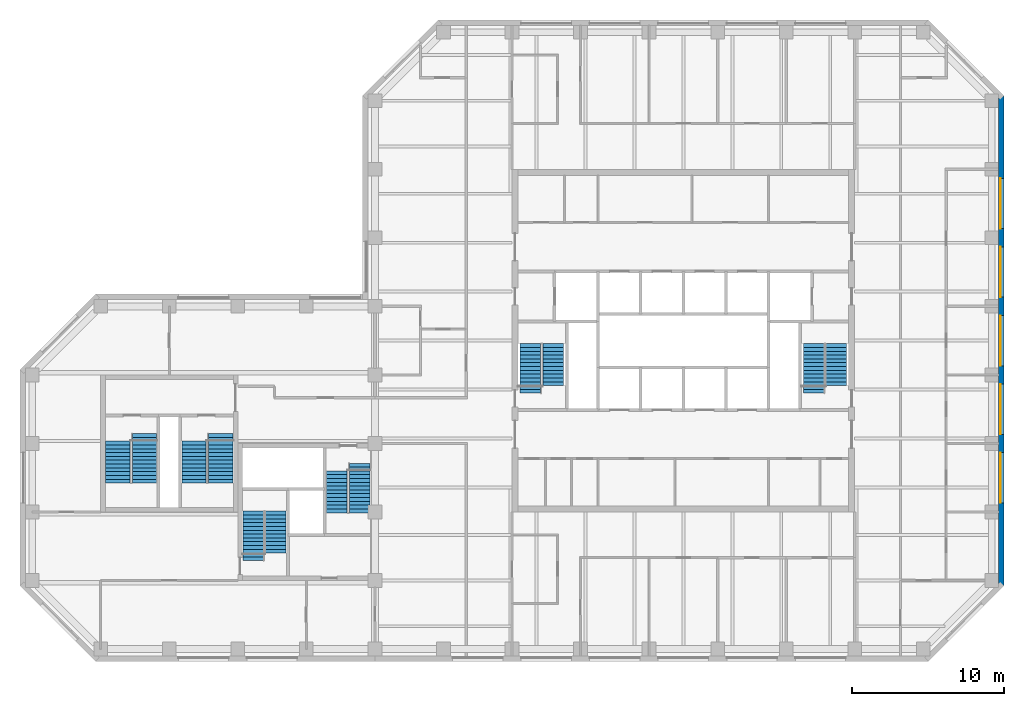
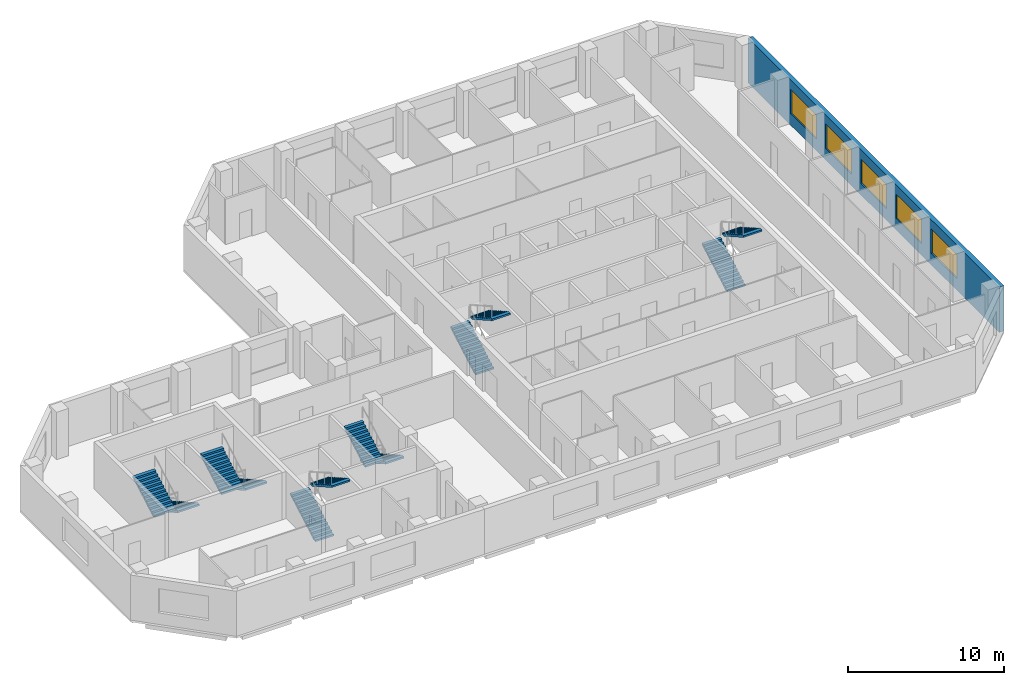
# One storey, part 8 of 9: 12 stair flights, 5 windows, 1 wall, 5 openings, 6 elements without a shape of their own.
"""IFC4 building model written with IfcOpenShell, lengths in metres."""

from ifc_helpers import new_model, si_unit, direction, frame, frame_2d, origin, place, context, subcontext, project, spatial, polyline, rectangle, outline, extrude, material, layer, layer_set, constituent, constituent_set, type_object, element, fill, aggregate, save


model = new_model("IFC4")

# Units and contexts
model_context = context("Model", 3, precision=1e-05, world=origin(), true_north=direction((0.0, 1.0)))
body_context = subcontext(model_context, "Body", "Model", "MODEL_VIEW")
ifc_project = project(units=[si_unit("LENGTHUNIT", "METRE"), si_unit("AREAUNIT", "SQUARE_METRE"), si_unit("VOLUMEUNIT", "CUBIC_METRE"), si_unit("PLANEANGLEUNIT", "RADIAN"), si_unit("MASSUNIT", "GRAM", prefix="KILO")], contexts=[model_context])

# Site, building, storey
site_placement = place(None, origin())
site = spatial("IfcSite", under=ifc_project, at=site_placement, CompositionType="ELEMENT")
building_placement = place(site_placement, origin())
building = spatial("IfcBuilding", under=site, at=building_placement, Name="Quoin Convention Tower", CompositionType="ELEMENT")
storey_placement = place(building_placement, frame((0.0, 0.0, 151.39990234375)))
storey = spatial("IfcBuildingStorey", under=building, at=storey_placement, Name="L39", CompositionType="ELEMENT", Elevation=151.39990234375)

# Wall, openings, windows
ifc_material_1 = material(Name="Brick masonry", Category="masonry")
ifc_layer = layer(ifc_material_1, 0.35009765625)
ifc_layer_set = layer_set([ifc_layer], Name="Brick masonry")
wall_type = type_object("IfcWallType", Name="Brick facade wall", PredefinedType="STANDARD", material=ifc_layer_set)
wall_placement = place(storey_placement, frame((77.125, 44.668701171875, 0.0), z_axis=(0.0, 0.0, 1.0), x_axis=(0.0, 1.0, 0.0)))
wall = element("IfcWall", 1, at=wall_placement, inside=storey, type_object=wall_type, Name="fw-L39-76500_45000", PredefinedType="STANDARD", context=body_context, shape_type="SweptSolid", body=[
    extrude(rectangle(XDim=32.16259765625, YDim=0.35009765625, at=frame_2d((16.081298828125, 0.0))), origin(), (0.0, 0.0, 1.0), 3.525146484375),
])
opening_1_placement = place(wall_placement, frame((5.431396484375, 0.0, 0.89990234375)))
opening_1 = element("IfcOpeningElement", 2, at=opening_1_placement, cuts=wall, Name="Opening W-02", PredefinedType="OPENING", context=body_context, shape_type="SweptSolid", body=[
    extrude(rectangle(XDim=3.300048828125, YDim=1.89990234375, at=frame_2d((1.64990234375, 0.949951171875))), frame((0.0, 0.18505859375, 0.0), z_axis=(0.0, -1.0, 0.0), x_axis=(1.0, 0.0, 0.0)), (0.0, 0.0, 1.0), 0.3701171875),
])
opening_2_placement = place(wall_placement, frame((9.931396484375, 0.0, 0.89990234375)))
opening_2 = element("IfcOpeningElement", 3, at=opening_2_placement, cuts=wall, Name="Opening W-02", PredefinedType="OPENING", context=body_context, shape_type="SweptSolid", body=[
    extrude(rectangle(XDim=3.300048828125, YDim=1.89990234375, at=frame_2d((1.64990234375, 0.949951171875))), frame((0.0, 0.18505859375, 0.0), z_axis=(0.0, -1.0, 0.0), x_axis=(1.0, 0.0, 0.0)), (0.0, 0.0, 1.0), 0.3701171875),
])
opening_3_placement = place(wall_placement, frame((14.431396484375, 0.0, 0.89990234375)))
opening_3 = element("IfcOpeningElement", 4, at=opening_3_placement, cuts=wall, Name="Opening W-02", PredefinedType="OPENING", context=body_context, shape_type="SweptSolid", body=[
    extrude(rectangle(XDim=3.300048828125, YDim=1.89990234375, at=frame_2d((1.64990234375, 0.949951171875))), frame((0.0, 0.18505859375, 0.0), z_axis=(0.0, -1.0, 0.0), x_axis=(1.0, 0.0, 0.0)), (0.0, 0.0, 1.0), 0.3701171875),
])
opening_4_placement = place(wall_placement, frame((18.931396484375, 0.0, 0.89990234375)))
opening_4 = element("IfcOpeningElement", 5, at=opening_4_placement, cuts=wall, Name="Opening W-02", PredefinedType="OPENING", context=body_context, shape_type="SweptSolid", body=[
    extrude(rectangle(XDim=3.300048828125, YDim=1.89990234375, at=frame_2d((1.64990234375, 0.949951171875))), frame((0.0, 0.18505859375, 0.0), z_axis=(0.0, -1.0, 0.0), x_axis=(1.0, 0.0, 0.0)), (0.0, 0.0, 1.0), 0.3701171875),
])
opening_5_placement = place(wall_placement, frame((23.431396484375, 0.0, 0.89990234375)))
opening_5 = element("IfcOpeningElement", 6, at=opening_5_placement, cuts=wall, Name="Opening W-02", PredefinedType="OPENING", context=body_context, shape_type="SweptSolid", body=[
    extrude(rectangle(XDim=3.300048828125, YDim=1.89990234375, at=frame_2d((1.64990234375, 0.949951171875))), frame((0.0, 0.18505859375, 0.0), z_axis=(0.0, -1.0, 0.0), x_axis=(1.0, 0.0, 0.0)), (0.0, 0.0, 1.0), 0.3701171875),
])
ifc_material_2 = material(Name="Aluminium", Category="aluminium")
ifc_constituent_1 = constituent(ifc_material_2, Name="Frame")
ifc_material_3 = material(Name="Insulated glass", Category="glass")
ifc_constituent_2 = constituent(ifc_material_3, Name="Glazing")
ifc_constituent_set = constituent_set(constituents=[ifc_constituent_1, ifc_constituent_2], Name="Aluminium")
window_type = type_object("IfcWindowType", Name="Office window", PartitioningType="DOUBLE_PANEL_VERTICAL", PredefinedType="WINDOW", material=ifc_constituent_set)
window_1_placement = place(opening_1_placement, origin())
window_1 = element("IfcWindow", 7, at=window_1_placement, inside=storey, type_object=window_type, Name="win-L39-77125_51750", OverallHeight=1.89990234375, OverallWidth=3.300048828125, PartitioningType="SINGLE_PANEL", PredefinedType="WINDOW", context=body_context, shape_type="SweptSolid", body=[
    extrude(rectangle(XDim=3.300048828125, YDim=1.89990234375, at=frame_2d((1.64990234375, 0.949951171875))), frame((0.0, 0.0849609375, 0.0), z_axis=(0.0, -1.0, 0.0), x_axis=(1.0, 0.0, 0.0)), (0.0, 0.0, 1.0), 0.06005859375),
])
fill(opening_1, window_1)
window_2_placement = place(opening_2_placement, origin())
window_2 = element("IfcWindow", 8, at=window_2_placement, inside=storey, type_object=window_type, Name="win-L39-77125_56250", OverallHeight=1.89990234375, OverallWidth=3.300048828125, PartitioningType="SINGLE_PANEL", PredefinedType="WINDOW", context=body_context, shape_type="SweptSolid", body=[
    extrude(rectangle(XDim=3.300048828125, YDim=1.89990234375, at=frame_2d((1.64990234375, 0.949951171875))), frame((0.0, 0.0849609375, 0.0), z_axis=(0.0, -1.0, 0.0), x_axis=(1.0, 0.0, 0.0)), (0.0, 0.0, 1.0), 0.06005859375),
])
fill(opening_2, window_2)
window_3_placement = place(opening_3_placement, origin())
window_3 = element("IfcWindow", 9, at=window_3_placement, inside=storey, type_object=window_type, Name="win-L39-77125_60750", OverallHeight=1.89990234375, OverallWidth=3.300048828125, PartitioningType="SINGLE_PANEL", PredefinedType="WINDOW", context=body_context, shape_type="SweptSolid", body=[
    extrude(rectangle(XDim=3.300048828125, YDim=1.89990234375, at=frame_2d((1.64990234375, 0.949951171875))), frame((0.0, 0.0849609375, 0.0), z_axis=(0.0, -1.0, 0.0), x_axis=(1.0, 0.0, 0.0)), (0.0, 0.0, 1.0), 0.06005859375),
])
fill(opening_3, window_3)
window_4_placement = place(opening_4_placement, origin())
window_4 = element("IfcWindow", 10, at=window_4_placement, inside=storey, type_object=window_type, Name="win-L39-77125_65250", OverallHeight=1.89990234375, OverallWidth=3.300048828125, PartitioningType="SINGLE_PANEL", PredefinedType="WINDOW", context=body_context, shape_type="SweptSolid", body=[
    extrude(rectangle(XDim=3.300048828125, YDim=1.89990234375, at=frame_2d((1.64990234375, 0.949951171875))), frame((0.0, 0.0849609375, 0.0), z_axis=(0.0, -1.0, 0.0), x_axis=(1.0, 0.0, 0.0)), (0.0, 0.0, 1.0), 0.06005859375),
])
fill(opening_4, window_4)
window_5_placement = place(opening_5_placement, origin())
window_5 = element("IfcWindow", 11, at=window_5_placement, inside=storey, type_object=window_type, Name="win-L39-77125_69750", OverallHeight=1.89990234375, OverallWidth=3.300048828125, PartitioningType="SINGLE_PANEL", PredefinedType="WINDOW", context=body_context, shape_type="SweptSolid", body=[
    extrude(rectangle(XDim=3.300048828125, YDim=1.89990234375, at=frame_2d((1.64990234375, 0.949951171875))), frame((0.0, 0.0849609375, 0.0), z_axis=(0.0, -1.0, 0.0), x_axis=(1.0, 0.0, 0.0)), (0.0, 0.0, 1.0), 0.06005859375),
])
fill(opening_5, window_5)

# Stair, stair flights
ifc_material_4 = material(Name="Concrete C40", Category="concrete")
stair_type_1 = type_object("IfcStairType", Name="Exit stair two-flight 1350", PredefinedType="HALF_TURN_STAIR", material=ifc_material_4)
stair_1_placement = place(storey_placement, origin())
stair_1 = element("IfcStair", 12, at=stair_1_placement, inside=storey, type_object=stair_type_1, Name="SD1 L39", PredefinedType="HALF_TURN_STAIR")
stair_flight_type_1 = type_object("IfcStairFlightType", Name="Stair flight 1350", PredefinedType="STRAIGHT", material=ifc_material_4)
stair_flight_1_placement = place(storey_placement, frame((46.199951171875, 57.300048828125, 0.0), z_axis=(0.0, 0.0, 1.0), x_axis=(0.0, 1.0, 0.0)))
stair_flight_1 = element("IfcStairFlight", 13, at=stair_flight_1_placement, type_object=stair_flight_type_1, Name="ST1 flight 1", NumberOfRisers=14, NumberOfTreads=13, PredefinedType="STRAIGHT", RiserHeight=0.142307692, TreadLength=0.25, context=body_context, shape_type="SweptSolid", body=[
    extrude(outline(polyline([(0.0, 0.0), (0.0, 0.142333984375), (0.25, 0.142333984375), (0.25, 0.28466796875), (0.5, 0.28466796875), (0.5, 0.427001953125), (0.75, 0.427001953125), (0.75, 0.5693359375), (1.0, 0.5693359375), (1.0, 0.71142578125), (1.25, 0.71142578125), (1.25, 0.853759765625), (1.5, 0.853759765625), (1.5, 0.99609375), (1.75, 0.99609375), (1.75, 1.138427734375), (2.0, 1.138427734375), (2.0, 1.28076171875), (2.25, 1.28076171875), (2.25, 1.423095703125), (2.5, 1.423095703125), (2.5, 1.5654296875), (2.75, 1.5654296875), (2.75, 1.707763671875), (3.0, 1.707763671875), (3.0, 1.85009765625), (3.25, 1.85009765625), (3.25, 1.9921875), (3.25, 1.711669921875), (0.242919921875, 0.0), (0.0, 0.0)])), frame((0.0, 0.675048828125, 0.0), z_axis=(0.0, -1.0, 0.0), x_axis=(1.0, 0.0, 0.0)), (0.0, 0.0, 1.0), 1.35009765625),
])
stair_flight_2_placement = place(storey_placement, frame((47.699951171875, 60.550048828125, 1.992431640625), z_axis=(0.0, 0.0, 1.0), x_axis=(0.0, -1.0, 0.0)))
stair_flight_2 = element("IfcStairFlight", 14, at=stair_flight_2_placement, type_object=stair_flight_type_1, Name="ST1 flight 2", NumberOfRisers=12, NumberOfTreads=11, PredefinedType="STRAIGHT", RiserHeight=0.142307692, TreadLength=0.25, context=body_context, shape_type="SweptSolid", body=[
    extrude(outline(polyline([(0.0, 0.0), (0.0, 0.142333984375), (0.25, 0.142333984375), (0.25, 0.28466796875), (0.5, 0.28466796875), (0.5, 0.427001953125), (0.75, 0.427001953125), (0.75, 0.5693359375), (1.0, 0.5693359375), (1.0, 0.71142578125), (1.25, 0.71142578125), (1.25, 0.853759765625), (1.5, 0.853759765625), (1.5, 0.99609375), (1.75, 0.99609375), (1.75, 1.138427734375), (2.0, 1.138427734375), (2.0, 1.28076171875), (2.25, 1.28076171875), (2.25, 1.423095703125), (2.5, 1.423095703125), (2.5, 1.5654296875), (2.75, 1.5654296875), (2.75, 1.707763671875), (2.75, 1.42724609375), (0.242919921875, 0.0), (0.0, 0.0)])), frame((0.0, 0.675048828125, 0.0), z_axis=(0.0, -1.0, 0.0), x_axis=(1.0, 0.0, 0.0)), (0.0, 0.0, 1.0), 1.35009765625),
])
aggregate(stair_1, [stair_flight_1, stair_flight_2])

stair_2_placement = place(storey_placement, origin())
stair_2 = element("IfcStair", 15, at=stair_2_placement, inside=storey, type_object=stair_type_1, Name="SD2 L39", PredefinedType="HALF_TURN_STAIR")
stair_flight_3_placement = place(storey_placement, frame((64.800048828125, 57.300048828125, 0.0), z_axis=(0.0, 0.0, 1.0), x_axis=(0.0, 1.0, 0.0)))
stair_flight_3 = element("IfcStairFlight", 16, at=stair_flight_3_placement, type_object=stair_flight_type_1, Name="ST2 flight 1", NumberOfRisers=14, NumberOfTreads=13, PredefinedType="STRAIGHT", RiserHeight=0.142307692, TreadLength=0.25, context=body_context, shape_type="SweptSolid", body=[
    extrude(outline(polyline([(0.0, 0.0), (0.0, 0.142333984375), (0.25, 0.142333984375), (0.25, 0.28466796875), (0.5, 0.28466796875), (0.5, 0.427001953125), (0.75, 0.427001953125), (0.75, 0.5693359375), (1.0, 0.5693359375), (1.0, 0.71142578125), (1.25, 0.71142578125), (1.25, 0.853759765625), (1.5, 0.853759765625), (1.5, 0.99609375), (1.75, 0.99609375), (1.75, 1.138427734375), (2.0, 1.138427734375), (2.0, 1.28076171875), (2.25, 1.28076171875), (2.25, 1.423095703125), (2.5, 1.423095703125), (2.5, 1.5654296875), (2.75, 1.5654296875), (2.75, 1.707763671875), (3.0, 1.707763671875), (3.0, 1.85009765625), (3.25, 1.85009765625), (3.25, 1.9921875), (3.25, 1.711669921875), (0.242919921875, 0.0), (0.0, 0.0)])), frame((0.0, 0.675048828125, 0.0), z_axis=(0.0, -1.0, 0.0), x_axis=(1.0, 0.0, 0.0)), (0.0, 0.0, 1.0), 1.35009765625),
])
stair_flight_4_placement = place(storey_placement, frame((66.300048828125, 60.550048828125, 1.992431640625), z_axis=(0.0, 0.0, 1.0), x_axis=(0.0, -1.0, 0.0)))
stair_flight_4 = element("IfcStairFlight", 17, at=stair_flight_4_placement, type_object=stair_flight_type_1, Name="ST2 flight 2", NumberOfRisers=12, NumberOfTreads=11, PredefinedType="STRAIGHT", RiserHeight=0.142307692, TreadLength=0.25, context=body_context, shape_type="SweptSolid", body=[
    extrude(outline(polyline([(0.0, 0.0), (0.0, 0.142333984375), (0.25, 0.142333984375), (0.25, 0.28466796875), (0.5, 0.28466796875), (0.5, 0.427001953125), (0.75, 0.427001953125), (0.75, 0.5693359375), (1.0, 0.5693359375), (1.0, 0.71142578125), (1.25, 0.71142578125), (1.25, 0.853759765625), (1.5, 0.853759765625), (1.5, 0.99609375), (1.75, 0.99609375), (1.75, 1.138427734375), (2.0, 1.138427734375), (2.0, 1.28076171875), (2.25, 1.28076171875), (2.25, 1.423095703125), (2.5, 1.423095703125), (2.5, 1.5654296875), (2.75, 1.5654296875), (2.75, 1.707763671875), (2.75, 1.42724609375), (0.242919921875, 0.0), (0.0, 0.0)])), frame((0.0, 0.675048828125, 0.0), z_axis=(0.0, -1.0, 0.0), x_axis=(1.0, 0.0, 0.0)), (0.0, 0.0, 1.0), 1.35009765625),
])
aggregate(stair_2, [stair_flight_3, stair_flight_4])

stair_3_placement = place(storey_placement, origin())
stair_3 = element("IfcStair", 18, at=stair_3_placement, inside=storey, type_object=stair_type_1, Name="SD3 L39", PredefinedType="HALF_TURN_STAIR")
stair_flight_5_placement = place(storey_placement, frame((28.0, 46.300048828125, 0.0), z_axis=(0.0, 0.0, 1.0), x_axis=(0.0, 1.0, 0.0)))
stair_flight_5 = element("IfcStairFlight", 19, at=stair_flight_5_placement, type_object=stair_flight_type_1, Name="ST3 flight 1", NumberOfRisers=14, NumberOfTreads=13, PredefinedType="STRAIGHT", RiserHeight=0.142307692, TreadLength=0.25, context=body_context, shape_type="SweptSolid", body=[
    extrude(outline(polyline([(0.0, 0.0), (0.0, 0.142333984375), (0.25, 0.142333984375), (0.25, 0.28466796875), (0.5, 0.28466796875), (0.5, 0.427001953125), (0.75, 0.427001953125), (0.75, 0.5693359375), (1.0, 0.5693359375), (1.0, 0.71142578125), (1.25, 0.71142578125), (1.25, 0.853759765625), (1.5, 0.853759765625), (1.5, 0.99609375), (1.75, 0.99609375), (1.75, 1.138427734375), (2.0, 1.138427734375), (2.0, 1.28076171875), (2.25, 1.28076171875), (2.25, 1.423095703125), (2.5, 1.423095703125), (2.5, 1.5654296875), (2.75, 1.5654296875), (2.75, 1.707763671875), (3.0, 1.707763671875), (3.0, 1.85009765625), (3.25, 1.85009765625), (3.25, 1.9921875), (3.25, 1.711669921875), (0.242919921875, 0.0), (0.0, 0.0)])), frame((0.0, 0.675048828125, 0.0), z_axis=(0.0, -1.0, 0.0), x_axis=(1.0, 0.0, 0.0)), (0.0, 0.0, 1.0), 1.35009765625),
])
stair_flight_6_placement = place(storey_placement, frame((29.5, 49.550048828125, 1.992431640625), z_axis=(0.0, 0.0, 1.0), x_axis=(0.0, -1.0, 0.0)))
stair_flight_6 = element("IfcStairFlight", 20, at=stair_flight_6_placement, type_object=stair_flight_type_1, Name="ST3 flight 2", NumberOfRisers=12, NumberOfTreads=11, PredefinedType="STRAIGHT", RiserHeight=0.142307692, TreadLength=0.25, context=body_context, shape_type="SweptSolid", body=[
    extrude(outline(polyline([(0.0, 0.0), (0.0, 0.142333984375), (0.25, 0.142333984375), (0.25, 0.28466796875), (0.5, 0.28466796875), (0.5, 0.427001953125), (0.75, 0.427001953125), (0.75, 0.5693359375), (1.0, 0.5693359375), (1.0, 0.71142578125), (1.25, 0.71142578125), (1.25, 0.853759765625), (1.5, 0.853759765625), (1.5, 0.99609375), (1.75, 0.99609375), (1.75, 1.138427734375), (2.0, 1.138427734375), (2.0, 1.28076171875), (2.25, 1.28076171875), (2.25, 1.423095703125), (2.5, 1.423095703125), (2.5, 1.5654296875), (2.75, 1.5654296875), (2.75, 1.707763671875), (2.75, 1.42724609375), (0.242919921875, 0.0), (0.0, 0.0)])), frame((0.0, 0.675048828125, 0.0), z_axis=(0.0, -1.0, 0.0), x_axis=(1.0, 0.0, 0.0)), (0.0, 0.0, 1.0), 1.35009765625),
])
aggregate(stair_3, [stair_flight_5, stair_flight_6])

stair_4_placement = place(storey_placement, origin())
stair_4 = element("IfcStair", 21, at=stair_4_placement, inside=storey, type_object=stair_type_1, Name="SD4 L39", PredefinedType="HALF_TURN_STAIR")
stair_flight_7_placement = place(storey_placement, frame((35.0, 52.699951171875, 0.0), z_axis=(0.0, 0.0, 1.0), x_axis=(0.0, -1.0, 0.0)))
stair_flight_7 = element("IfcStairFlight", 22, at=stair_flight_7_placement, type_object=stair_flight_type_1, Name="ST4 flight 1", NumberOfRisers=14, NumberOfTreads=13, PredefinedType="STRAIGHT", RiserHeight=0.142307692, TreadLength=0.25, context=body_context, shape_type="SweptSolid", body=[
    extrude(outline(polyline([(0.0, 0.0), (0.0, 0.142333984375), (0.25, 0.142333984375), (0.25, 0.28466796875), (0.5, 0.28466796875), (0.5, 0.427001953125), (0.75, 0.427001953125), (0.75, 0.5693359375), (1.0, 0.5693359375), (1.0, 0.71142578125), (1.25, 0.71142578125), (1.25, 0.853759765625), (1.5, 0.853759765625), (1.5, 0.99609375), (1.75, 0.99609375), (1.75, 1.138427734375), (2.0, 1.138427734375), (2.0, 1.28076171875), (2.25, 1.28076171875), (2.25, 1.423095703125), (2.5, 1.423095703125), (2.5, 1.5654296875), (2.75, 1.5654296875), (2.75, 1.707763671875), (3.0, 1.707763671875), (3.0, 1.85009765625), (3.25, 1.85009765625), (3.25, 1.9921875), (3.25, 1.711669921875), (0.242919921875, 0.0), (0.0, 0.0)])), frame((0.0, 0.675048828125, 0.0), z_axis=(0.0, -1.0, 0.0), x_axis=(1.0, 0.0, 0.0)), (0.0, 0.0, 1.0), 1.35009765625),
])
stair_flight_8_placement = place(storey_placement, frame((33.5, 49.449951171875, 1.992431640625), z_axis=(0.0, 0.0, 1.0), x_axis=(0.0, 1.0, 0.0)))
stair_flight_8 = element("IfcStairFlight", 23, at=stair_flight_8_placement, type_object=stair_flight_type_1, Name="ST4 flight 2", NumberOfRisers=12, NumberOfTreads=11, PredefinedType="STRAIGHT", RiserHeight=0.142307692, TreadLength=0.25, context=body_context, shape_type="SweptSolid", body=[
    extrude(outline(polyline([(0.0, 0.0), (0.0, 0.142333984375), (0.25, 0.142333984375), (0.25, 0.28466796875), (0.5, 0.28466796875), (0.5, 0.427001953125), (0.75, 0.427001953125), (0.75, 0.5693359375), (1.0, 0.5693359375), (1.0, 0.71142578125), (1.25, 0.71142578125), (1.25, 0.853759765625), (1.5, 0.853759765625), (1.5, 0.99609375), (1.75, 0.99609375), (1.75, 1.138427734375), (2.0, 1.138427734375), (2.0, 1.28076171875), (2.25, 1.28076171875), (2.25, 1.423095703125), (2.5, 1.423095703125), (2.5, 1.5654296875), (2.75, 1.5654296875), (2.75, 1.707763671875), (2.75, 1.42724609375), (0.242919921875, 0.0), (0.0, 0.0)])), frame((0.0, 0.675048828125, 0.0), z_axis=(0.0, -1.0, 0.0), x_axis=(1.0, 0.0, 0.0)), (0.0, 0.0, 1.0), 1.35009765625),
])
aggregate(stair_4, [stair_flight_7, stair_flight_8])

stair_type_2 = type_object("IfcStairType", Name="Exit stair two-flight 1600", PredefinedType="HALF_TURN_STAIR", material=ifc_material_4)
stair_5_placement = place(storey_placement, origin())
stair_5 = element("IfcStair", 24, at=stair_5_placement, inside=storey, type_object=stair_type_2, Name="SD11 L39", PredefinedType="HALF_TURN_STAIR")
stair_flight_type_2 = type_object("IfcStairFlightType", Name="Stair flight 1600", PredefinedType="STRAIGHT", material=ifc_material_4)
stair_flight_9_placement = place(storey_placement, frame((20.875, 54.64990234375, 0.0), z_axis=(0.0, 0.0, 1.0), x_axis=(0.0, -1.0, 0.0)))
stair_flight_9 = element("IfcStairFlight", 25, at=stair_flight_9_placement, type_object=stair_flight_type_2, Name="ST11 flight 1", NumberOfRisers=14, NumberOfTreads=13, PredefinedType="STRAIGHT", RiserHeight=0.142307692, TreadLength=0.25, context=body_context, shape_type="SweptSolid", body=[
    extrude(outline(polyline([(0.0, 0.0), (0.0, 0.142333984375), (0.25, 0.142333984375), (0.25, 0.28466796875), (0.5, 0.28466796875), (0.5, 0.427001953125), (0.75, 0.427001953125), (0.75, 0.5693359375), (1.0, 0.5693359375), (1.0, 0.71142578125), (1.25, 0.71142578125), (1.25, 0.853759765625), (1.5, 0.853759765625), (1.5, 0.99609375), (1.75, 0.99609375), (1.75, 1.138427734375), (2.0, 1.138427734375), (2.0, 1.28076171875), (2.25, 1.28076171875), (2.25, 1.423095703125), (2.5, 1.423095703125), (2.5, 1.5654296875), (2.75, 1.5654296875), (2.75, 1.707763671875), (3.0, 1.707763671875), (3.0, 1.85009765625), (3.25, 1.85009765625), (3.25, 1.9921875), (3.25, 1.711669921875), (0.242919921875, 0.0), (0.0, 0.0)])), frame((0.0, 0.800048828125, 0.0), z_axis=(0.0, -1.0, 0.0), x_axis=(1.0, 0.0, 0.0)), (0.0, 0.0, 1.0), 1.60009765625),
])
stair_flight_10_placement = place(storey_placement, frame((19.125, 51.39990234375, 1.992431640625), z_axis=(0.0, 0.0, 1.0), x_axis=(0.0, 1.0, 0.0)))
stair_flight_10 = element("IfcStairFlight", 26, at=stair_flight_10_placement, type_object=stair_flight_type_2, Name="ST11 flight 2", NumberOfRisers=12, NumberOfTreads=11, PredefinedType="STRAIGHT", RiserHeight=0.142307692, TreadLength=0.25, context=body_context, shape_type="SweptSolid", body=[
    extrude(outline(polyline([(0.0, 0.0), (0.0, 0.142333984375), (0.25, 0.142333984375), (0.25, 0.28466796875), (0.5, 0.28466796875), (0.5, 0.427001953125), (0.75, 0.427001953125), (0.75, 0.5693359375), (1.0, 0.5693359375), (1.0, 0.71142578125), (1.25, 0.71142578125), (1.25, 0.853759765625), (1.5, 0.853759765625), (1.5, 0.99609375), (1.75, 0.99609375), (1.75, 1.138427734375), (2.0, 1.138427734375), (2.0, 1.28076171875), (2.25, 1.28076171875), (2.25, 1.423095703125), (2.5, 1.423095703125), (2.5, 1.5654296875), (2.75, 1.5654296875), (2.75, 1.707763671875), (2.75, 1.42724609375), (0.242919921875, 0.0), (0.0, 0.0)])), frame((0.0, 0.800048828125, 0.0), z_axis=(0.0, -1.0, 0.0), x_axis=(1.0, 0.0, 0.0)), (0.0, 0.0, 1.0), 1.60009765625),
])
aggregate(stair_5, [stair_flight_9, stair_flight_10])

stair_6_placement = place(storey_placement, origin())
stair_6 = element("IfcStair", 27, at=stair_6_placement, inside=storey, type_object=stair_type_2, Name="SD12 L39", PredefinedType="HALF_TURN_STAIR")
stair_flight_11_placement = place(storey_placement, frame((25.875, 54.64990234375, 0.0), z_axis=(0.0, 0.0, 1.0), x_axis=(0.0, -1.0, 0.0)))
stair_flight_11 = element("IfcStairFlight", 28, at=stair_flight_11_placement, type_object=stair_flight_type_2, Name="ST12 flight 1", NumberOfRisers=14, NumberOfTreads=13, PredefinedType="STRAIGHT", RiserHeight=0.142307692, TreadLength=0.25, context=body_context, shape_type="SweptSolid", body=[
    extrude(outline(polyline([(0.0, 0.0), (0.0, 0.142333984375), (0.25, 0.142333984375), (0.25, 0.28466796875), (0.5, 0.28466796875), (0.5, 0.427001953125), (0.75, 0.427001953125), (0.75, 0.5693359375), (1.0, 0.5693359375), (1.0, 0.71142578125), (1.25, 0.71142578125), (1.25, 0.853759765625), (1.5, 0.853759765625), (1.5, 0.99609375), (1.75, 0.99609375), (1.75, 1.138427734375), (2.0, 1.138427734375), (2.0, 1.28076171875), (2.25, 1.28076171875), (2.25, 1.423095703125), (2.5, 1.423095703125), (2.5, 1.5654296875), (2.75, 1.5654296875), (2.75, 1.707763671875), (3.0, 1.707763671875), (3.0, 1.85009765625), (3.25, 1.85009765625), (3.25, 1.9921875), (3.25, 1.711669921875), (0.242919921875, 0.0), (0.0, 0.0)])), frame((0.0, 0.800048828125, 0.0), z_axis=(0.0, -1.0, 0.0), x_axis=(1.0, 0.0, 0.0)), (0.0, 0.0, 1.0), 1.60009765625),
])
stair_flight_12_placement = place(storey_placement, frame((24.125, 51.39990234375, 1.992431640625), z_axis=(0.0, 0.0, 1.0), x_axis=(0.0, 1.0, 0.0)))
stair_flight_12 = element("IfcStairFlight", 29, at=stair_flight_12_placement, type_object=stair_flight_type_2, Name="ST12 flight 2", NumberOfRisers=12, NumberOfTreads=11, PredefinedType="STRAIGHT", RiserHeight=0.142307692, TreadLength=0.25, context=body_context, shape_type="SweptSolid", body=[
    extrude(outline(polyline([(0.0, 0.0), (0.0, 0.142333984375), (0.25, 0.142333984375), (0.25, 0.28466796875), (0.5, 0.28466796875), (0.5, 0.427001953125), (0.75, 0.427001953125), (0.75, 0.5693359375), (1.0, 0.5693359375), (1.0, 0.71142578125), (1.25, 0.71142578125), (1.25, 0.853759765625), (1.5, 0.853759765625), (1.5, 0.99609375), (1.75, 0.99609375), (1.75, 1.138427734375), (2.0, 1.138427734375), (2.0, 1.28076171875), (2.25, 1.28076171875), (2.25, 1.423095703125), (2.5, 1.423095703125), (2.5, 1.5654296875), (2.75, 1.5654296875), (2.75, 1.707763671875), (2.75, 1.42724609375), (0.242919921875, 0.0), (0.0, 0.0)])), frame((0.0, 0.800048828125, 0.0), z_axis=(0.0, -1.0, 0.0), x_axis=(1.0, 0.0, 0.0)), (0.0, 0.0, 1.0), 1.60009765625),
])
aggregate(stair_6, [stair_flight_11, stair_flight_12])

save(model, "model.ifc")
